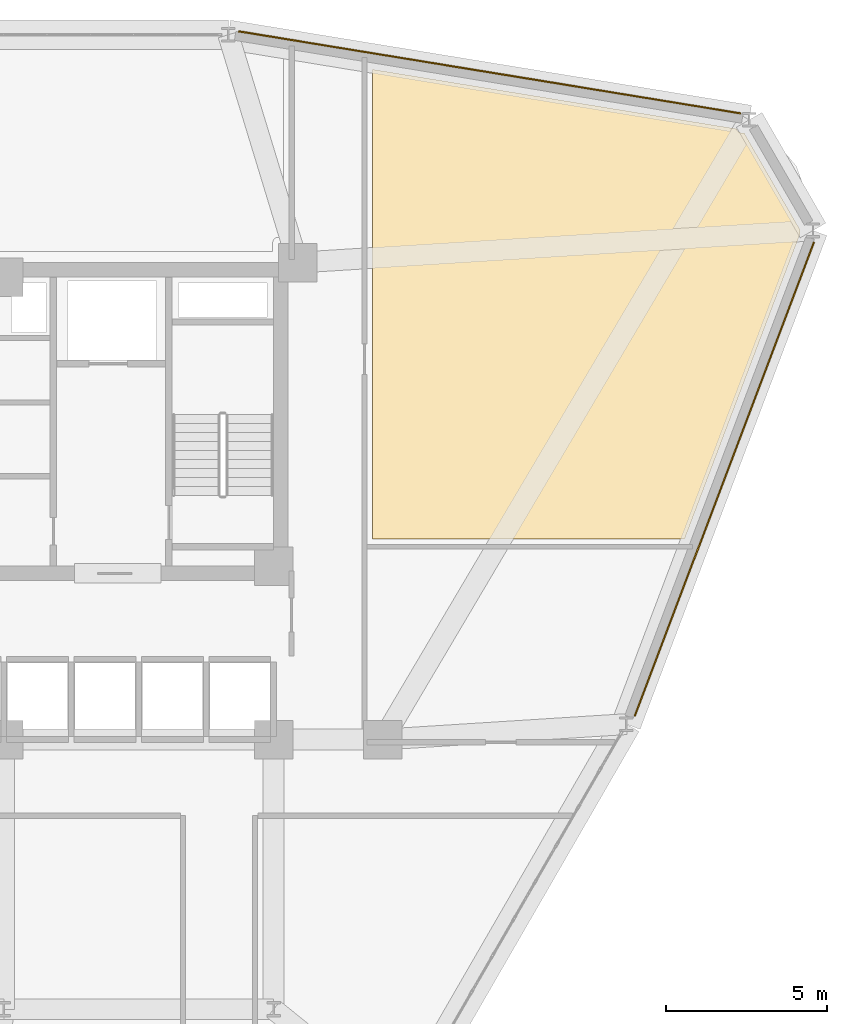
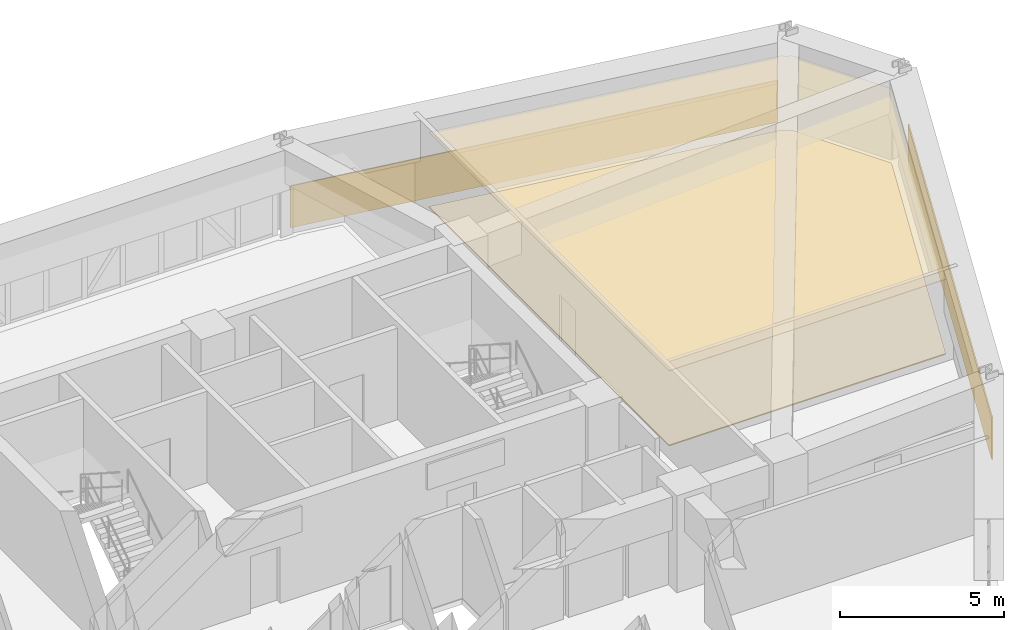
# One storey, part 15 of 15: 4 coverings.
"""IFC4 building model written with IfcOpenShell, lengths in metres."""

import ifcopenshell
import ifcopenshell.guid

model = None  # the IFC model being written
_history = None  # IfcOwnerHistory: only IFC2X3 demands one
_inside = {}  # id of a spatial element -> (the spatial element, [elements in it])
_under = {}  # id of a project, library or spatial element -> (it, [spatial elements below it])
_declared = {}  # id of a project -> (the project, [libraries it declares])
_typed = {}  # id of a type object -> (the type object, [elements of that type])
_made_of = {}  # id of a material, layer set ... -> (it, [elements and type objects made of it])


def new_model(schema):
    """Start an empty IFC model of exactly this schema.

    Asked for "IFC4X3", IfcOpenShell would pick the latest addendum, in which some entities
    have other attributes; the version numbers below select the first issue.
    IFC2X3 requires an IfcOwnerHistory on every rooted entity: one is made here for all.
    """
    global model, _history
    if schema == "IFC4X3":
        model = ifcopenshell.file(schema_version=(4, 3, 0, 0))
    else:
        model = ifcopenshell.file(schema=schema)
    _inside.clear()
    _under.clear()
    _declared.clear()
    _typed.clear()
    _made_of.clear()
    _history = None
    if model.schema == "IFC2X3":
        org = make("IfcOrganization", Name="unknown")
        user = make(
            "IfcPersonAndOrganization",
            ThePerson=make("IfcPerson", FamilyName="unknown"),
            TheOrganization=org,
        )
        app = make(
            "IfcApplication",
            ApplicationDeveloper=org,
            Version="unknown",
            ApplicationFullName="unknown",
            ApplicationIdentifier="unknown",
        )
        _history = make(
            "IfcOwnerHistory",
            OwningUser=user,
            OwningApplication=app,
            ChangeAction="ADDED",
            CreationDate=0,
        )
    return model


def make(cls, **values):
    """One entity of the class cls with the attributes given. An attribute that is None is left unset."""
    return model.create_entity(
        cls, **{name: value for name, value in values.items() if value is not None}
    )


def rooted(cls, **values):
    """An entity with a GlobalId (a new one), such as an element, a storey or a relation."""
    return make(cls, GlobalId=ifcopenshell.guid.new(), OwnerHistory=_history, **values)


def si_unit(unit_type, name, prefix=None):
    """IfcSIUnit, for example si_unit("LENGTHUNIT", "METRE", prefix="MILLI")."""
    return make("IfcSIUnit", UnitType=unit_type, Prefix=prefix, Name=name)


def derived_unit(unit_type, elements):
    """IfcDerivedUnit: a product of units, each with its exponent."""
    return make(
        "IfcDerivedUnit",
        Elements=[
            make("IfcDerivedUnitElement", Unit=unit, Exponent=power)
            for unit, power in elements
        ],
        UnitType=unit_type,
    )


def assignment(units):
    """IfcUnitAssignment: the units of a project."""
    return None if units is None else make("IfcUnitAssignment", Units=units)


def point(xyz):
    """IfcCartesianPoint."""
    return None if xyz is None else make("IfcCartesianPoint", Coordinates=xyz)


def direction(xyz):
    """IfcDirection."""
    return None if xyz is None else make("IfcDirection", DirectionRatios=xyz)


def frame(location, z_axis=None, x_axis=None):
    """IfcAxis2Placement3D, a coordinate frame: its origin and axes. An axis left out is left unset."""
    return make(
        "IfcAxis2Placement3D",
        Location=point(location),
        Axis=direction(z_axis),
        RefDirection=direction(x_axis),
    )


def origin():
    """The frame at (0, 0, 0) with its axes left unset."""
    return frame((0.0, 0.0, 0.0))


def place(relative_to, where):
    """IfcLocalPlacement: puts the frame where relative to a parent placement (None: the world)."""
    return make(
        "IfcLocalPlacement", PlacementRelTo=relative_to, RelativePlacement=where
    )


def context(
    kind, dimensions, precision=None, world=None, true_north=None, identifier=None
):
    """IfcGeometricRepresentationContext, for example the 3D "Model" context."""
    return make(
        "IfcGeometricRepresentationContext",
        ContextIdentifier=identifier,
        ContextType=kind,
        CoordinateSpaceDimension=dimensions,
        Precision=precision,
        WorldCoordinateSystem=world,
        TrueNorth=true_north,
    )


def subcontext(parent, identifier, kind, view, scale=None):
    """IfcGeometricRepresentationSubContext, for example "Body" below "Model"."""
    return make(
        "IfcGeometricRepresentationSubContext",
        ContextIdentifier=identifier,
        ContextType=kind,
        ParentContext=parent,
        TargetScale=scale,
        TargetView=view,
    )


def project(units=None, contexts=None):
    """IfcProject with its units and contexts."""
    return rooted(
        "IfcProject",
        Name="project",
        RepresentationContexts=contexts,
        UnitsInContext=assignment(units),
    )


def spatial(cls, under=None, at=None, **own):
    """A site, building, storey or space (cls), placed at a placement, below another one or the project."""
    s = rooted(cls, ObjectPlacement=at, **own)
    if under is not None:
        _under.setdefault(under.id(), (under, []))[1].append(s)
    return s


def polyline(points):
    """IfcPolyline through the points."""
    return make("IfcPolyline", Points=[point(p) for p in points])


def outline(outer, holes=None, kind="AREA"):
    """IfcArbitraryClosedProfileDef: a profile drawn as a closed curve; with holes, ...WithVoids."""
    if holes is None:
        return make("IfcArbitraryClosedProfileDef", ProfileType=kind, OuterCurve=outer)
    return make(
        "IfcArbitraryProfileDefWithVoids",
        ProfileType=kind,
        OuterCurve=outer,
        InnerCurves=holes,
    )


def extrude(swept, where, along, depth):
    """IfcExtrudedAreaSolid: the profile swept, set in the frame where, extruded along a direction by depth."""
    return make(
        "IfcExtrudedAreaSolid",
        SweptArea=swept,
        Position=where,
        ExtrudedDirection=direction(along),
        Depth=depth,
    )


def shape(context_of_items, identifier, shape_type, items):
    """IfcShapeRepresentation: the items that make up one representation, for example the "Body"."""
    return make(
        "IfcShapeRepresentation",
        ContextOfItems=context_of_items,
        RepresentationIdentifier=identifier,
        RepresentationType=shape_type,
        Items=items,
    )


def material(Name=None, Category=None):
    """IfcMaterial."""
    return make("IfcMaterial", Name=Name, Category=Category)


def layer(
    of_material, thickness, ventilated=None, Name=None, Category=None, Priority=None
):
    """IfcMaterialLayer: one layer of a wall or slab, of a material (None: an air gap)."""
    return make(
        "IfcMaterialLayer",
        Material=of_material,
        LayerThickness=thickness,
        IsVentilated=ventilated,
        Name=Name,
        Category=Category,
        Priority=Priority,
    )


def layer_set(layers, Name=None):
    """IfcMaterialLayerSet."""
    return make("IfcMaterialLayerSet", MaterialLayers=layers, LayerSetName=Name)


def made_of(thing, what):
    """Note that an element or type object is made of a material, layer set ...; save() writes the relation."""
    if what is not None:
        _made_of.setdefault(what.id(), (what, []))[1].append(thing)
    return thing


def type_object(cls, material=None, **own):
    """A type object (cls), such as IfcWallType, which elements share."""
    return made_of(rooted(cls, **own), material)


def element(
    cls,
    number,
    at=None,
    inside=None,
    cuts=None,
    type_object=None,
    material=None,
    context=None,
    identifier="Body",
    shape_type=None,
    held_by="IfcProductDefinitionShape",
    body=None,
    shapes=None,
    **own,
):
    """One element of the class cls, such as IfcWall. Its Tag is "e" and its number.

    at: its placement. inside: the storey or other place that contains it. cuts: it is an
    opening in that element (IfcRelVoidsElement). A single representation is given by context,
    identifier, shape_type and body (its items); several are given by shapes. held_by: the class
    of the entity that holds the representations. save() writes the other relations.
    """
    e = rooted(cls, Tag="e%d" % number, ObjectPlacement=at, **own)
    if body is not None:
        shapes = [shape(context, identifier, shape_type, body)]
    if shapes is not None:
        e.Representation = make(held_by, Representations=shapes)
    if inside is not None:
        _inside.setdefault(inside.id(), (inside, []))[1].append(e)
    if cuts is not None:
        rooted(
            "IfcRelVoidsElement", RelatingBuildingElement=cuts, RelatedOpeningElement=e
        )
    if type_object is not None:
        _typed.setdefault(type_object.id(), (type_object, []))[1].append(e)
    return made_of(e, material)


def aggregate(whole, parts):
    """IfcRelAggregates: a whole, such as a stair, and the parts it consists of."""
    return rooted("IfcRelAggregates", RelatingObject=whole, RelatedObjects=parts)


def save(model, path):
    """Write the relations noted so far, then the file.

    IfcRelAggregates (storeys below a building ...), IfcRelContainedInSpatialStructure (elements
    in a storey), IfcRelDefinesByType, IfcRelAssociatesMaterial and IfcRelDeclares: one each for
    every whole, place, type object, material and project.
    """
    for whole, parts in _under.values():
        aggregate(whole, parts)
    for where, things in _inside.values():
        rooted(
            "IfcRelContainedInSpatialStructure",
            RelatedElements=things,
            RelatingStructure=where,
        )
    for kind, things in _typed.values():
        rooted("IfcRelDefinesByType", RelatedObjects=things, RelatingType=kind)
    for what, things in _made_of.values():
        rooted("IfcRelAssociatesMaterial", RelatedObjects=things, RelatingMaterial=what)
    for by, libraries in _declared.values():
        rooted("IfcRelDeclares", RelatingContext=by, RelatedDefinitions=libraries)
    model.write(path)


model = new_model("IFC4")

# Units and contexts
model_context = context("Model", 3, precision=1e-05, world=origin(), true_north=direction((0.0, 1.0)))
body_context = subcontext(model_context, "Body", "Model", "MODEL_VIEW")
ifc_project = project(units=[si_unit("LENGTHUNIT", "METRE"), si_unit("AREAUNIT", "SQUARE_METRE"), si_unit("VOLUMEUNIT", "CUBIC_METRE"), si_unit("PLANEANGLEUNIT", "RADIAN"), si_unit("MASSUNIT", "GRAM", prefix="KILO"), derived_unit("THERMALTRANSMITTANCEUNIT", [(si_unit("POWERUNIT", "WATT"), 1), (si_unit("LENGTHUNIT", "METRE"), -2), (si_unit("THERMODYNAMICTEMPERATUREUNIT", "KELVIN"), -1)])], contexts=[model_context])

# Site, building, storey
site_placement = place(None, origin())
site = spatial("IfcSite", under=ifc_project, at=site_placement, CompositionType="ELEMENT")
building_placement = place(site_placement, origin())
building = spatial("IfcBuilding", under=site, at=building_placement, Name="Korsvarv Bourse and Concert Hall", CompositionType="ELEMENT")
storey_placement = place(building_placement, frame((0.0, 0.0, 113.39990234375)))
storey = spatial("IfcBuildingStorey", under=building, at=storey_placement, Name="L28", CompositionType="ELEMENT", Elevation=113.39990234375)

# Coverings
ifc_material_1 = material(Name="Perforated mineral-wool and birch acoustic baffle ceiling", Category="wood")
ifc_layer_1 = layer(ifc_material_1, 0.02490234375)
ifc_layer_set_1 = layer_set([ifc_layer_1], Name="Perforated mineral-wool and birch acoustic baffle ceiling")
covering_type_1 = type_object("IfcCoveringType", Name="COV-CEIL-1", PredefinedType="CEILING", material=ifc_layer_set_1)
covering_1_placement = place(storey_placement, frame((0.0, 0.0, 2.780029296875)))
element("IfcCovering", 1, at=covering_1_placement, inside=storey, type_object=covering_type_1, Name="L28 acoustic baffle ceiling 1", PredefinedType="CEILING", context=body_context, shape_type="SweptSolid", body=[
    extrude(outline(polyline([(58.816650390625, 51.41259765625), (58.830810546875, 51.379150390625), (58.851318359375, 51.349365234375), (58.877685546875, 51.324462890625), (58.908203125, 51.304931640625), (58.942138671875, 51.292236328125), (58.977783203125, 51.28662109375), (59.052490234375, 51.2822265625), (60.7958984375, 48.262451171875), (60.7958984375, 48.15771484375), (57.199951171875, 38.64990234375), (47.47998046875, 38.64990234375), (47.47998046875, 53.265869140625), (58.816650390625, 51.41259765625)])), origin(), (0.0, 0.0, 1.0), 0.025146484375),
])
ifc_material_2 = material(Name="Warm iron-oxide extruded terracotta rainscreen tile", Category="ceramic")
ifc_layer_2 = layer(ifc_material_2, 0.044921875)
ifc_layer_set_2 = layer_set([ifc_layer_2], Name="Warm iron-oxide extruded terracotta rainscreen tile")
covering_type_2 = type_object("IfcCoveringType", Name="COV-CLD-TC", PredefinedType="CLADDING", material=ifc_layer_set_2)
covering_2_placement = place(storey_placement, origin())
element("IfcCovering", 2, at=covering_2_placement, inside=storey, type_object=covering_type_2, Name="L28 fluted terracotta cladding panel EW-L28-B02", PredefinedType="CLADDING", context=body_context, shape_type="SweptSolid", body=[
    extrude(outline(polyline([(58.936279296875, 51.874755859375), (43.302734375, 54.429931640625), (43.31005859375, 54.474365234375), (58.943603515625, 51.919189453125), (58.936279296875, 51.874755859375)])), origin(), (0.0, 0.0, 1.0), 1.550048828125),
])
covering_3_placement = place(storey_placement, origin())
element("IfcCovering", 3, at=covering_3_placement, inside=storey, type_object=covering_type_2, Name="L28 fluted terracotta cladding panel EW-L28-B12", PredefinedType="CLADDING", context=body_context, shape_type="SweptSolid", body=[
    extrude(outline(polyline([(55.623291015625, 33.13916015625), (61.205078125, 47.896240234375), (61.2470703125, 47.88037109375), (55.66552734375, 33.123046875), (55.623291015625, 33.13916015625)])), origin(), (0.0, 0.0, 1.0), 1.550048828125),
])
ifc_material_3 = material(Name="Calcium-sulphate raised access trading floor with Nordic oak top", Category="wood")
ifc_layer_3 = layer(ifc_material_3, 0.0400390625)
ifc_layer_set_3 = layer_set([ifc_layer_3], Name="Calcium-sulphate raised access trading floor with Nordic oak top")
covering_type_3 = type_object("IfcCoveringType", Name="COV-FLOR-1", PredefinedType="FLOORING", material=ifc_layer_set_3)
covering_4_placement = place(storey_placement, origin())
element("IfcCovering", 4, at=covering_4_placement, inside=storey, type_object=covering_type_3, Name="L28 raised access oak floor finish 1", PredefinedType="FLOORING", context=body_context, shape_type="SweptSolid", body=[
    extrude(outline(polyline([(58.816650390625, 51.41259765625), (58.830810546875, 51.379150390625), (58.851318359375, 51.349365234375), (58.877685546875, 51.324462890625), (58.908203125, 51.304931640625), (58.942138671875, 51.292236328125), (58.977783203125, 51.28662109375), (59.052490234375, 51.2822265625), (60.7958984375, 48.262451171875), (60.7958984375, 48.15771484375), (57.199951171875, 38.64990234375), (47.47998046875, 38.64990234375), (47.47998046875, 53.265869140625), (58.816650390625, 51.41259765625)])), origin(), (0.0, 0.0, 1.0), 0.0400390625),
])

save(model, "model.ifc")
